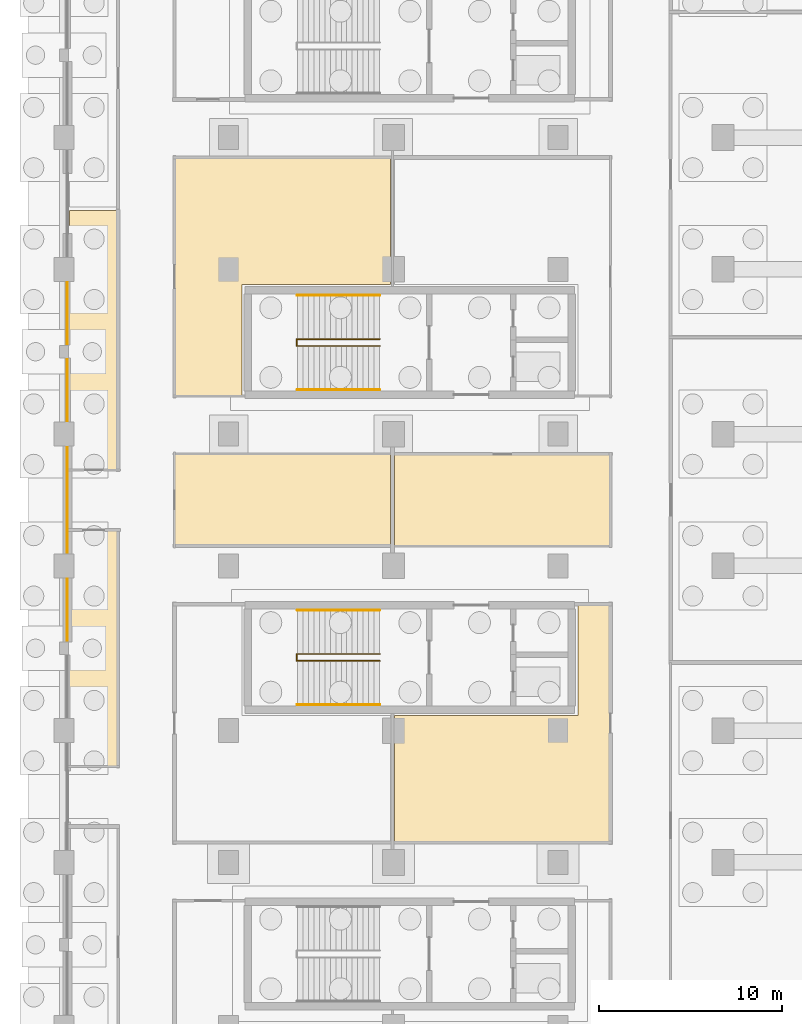
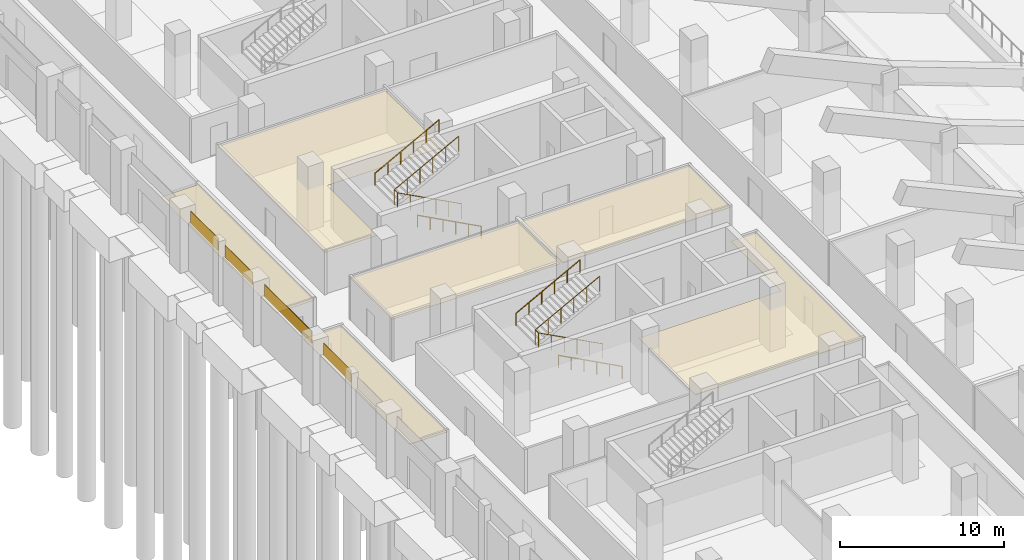
# One storey, part 44 of 53: 10 coverings, 6 railings.
"""IFC4 building model written with IfcOpenShell, lengths in metres."""

from ifc_helpers import new_model, si_unit, direction, frame, origin, origin_2d, place, context, subcontext, project, spatial, polyline, rectangle, circle, outline, extrude, material, layer, layer_set, type_object, element, save


model = new_model("IFC4")

# Units and contexts
model_context = context("Model", 3, precision=1e-05, world=origin(), true_north=direction((0.0, 1.0)))
body_context = subcontext(model_context, "Body", "Model", "MODEL_VIEW")
ifc_project = project(units=[si_unit("LENGTHUNIT", "METRE"), si_unit("AREAUNIT", "SQUARE_METRE"), si_unit("VOLUMEUNIT", "CUBIC_METRE"), si_unit("PLANEANGLEUNIT", "RADIAN"), si_unit("MASSUNIT", "GRAM", prefix="KILO"), si_unit("THERMODYNAMICTEMPERATUREUNIT", "KELVIN"), si_unit("POWERUNIT", "WATT")], contexts=[model_context])

# Site, building, storey
site_placement = place(None, origin())
site = spatial("IfcSite", under=ifc_project, at=site_placement, CompositionType="ELEMENT")
building_placement = place(site_placement, origin())
building = spatial("IfcBuilding", under=site, at=building_placement, Name="Sindhuravela Promenade Stadium", CompositionType="ELEMENT")
storey_placement = place(building_placement, origin())
storey = spatial("IfcBuildingStorey", under=building, at=storey_placement, Name="L00", CompositionType="ELEMENT", Elevation=0.0)

# Coverings
ifc_material_1 = material(Name="Acoustic mineral-fibre ceiling tile", Category="gypsum")
ifc_layer_1 = layer(ifc_material_1, 0.02490234375)
ifc_layer_set_1 = layer_set([ifc_layer_1], Name="Acoustic mineral-fibre ceiling tile")
covering_type_1 = type_object("IfcCoveringType", Name="CV-CEIL-1", PredefinedType="CEILING", material=ifc_layer_set_1)
covering_1_placement = place(storey_placement, frame((0.0, 0.0, 3.050048828125)))
element("IfcCovering", 1, at=covering_1_placement, inside=storey, type_object=covering_type_1, Name="Acoustic ceiling Accessible WC West L00", PredefinedType="CEILING", context=body_context, shape_type="SweptSolid", body=[
    extrude(outline(polyline([(6.0400390625, 86.669921875), (6.0380859375, 86.670166015625), (6.0361328125, 86.67041015625), (6.0341796875, 86.6708984375), (6.0322265625, 86.67138671875), (6.030517578125, 86.67236328125), (6.02880859375, 86.67333984375), (6.02734375, 86.674560546875), (6.02587890625, 86.67578125), (6.0244140625, 86.67724609375), (6.0234375, 86.678955078125), (6.0224609375, 86.6806640625), (6.021484375, 86.682373046875), (6.02099609375, 86.68408203125), (6.0205078125, 86.68603515625), (6.02001953125, 86.68798828125), (6.02001953125, 86.68994140625), (6.02001953125, 99.7099609375), (6.02001953125, 99.7119140625), (6.0205078125, 99.7138671875), (6.02099609375, 99.7158203125), (6.021484375, 99.7177734375), (6.0224609375, 99.719482421875), (6.0234375, 99.72119140625), (6.0244140625, 99.72265625), (6.02587890625, 99.72412109375), (6.02734375, 99.7255859375), (6.02880859375, 99.7265625), (6.030517578125, 99.7275390625), (6.0322265625, 99.728515625), (6.0341796875, 99.72900390625), (6.0361328125, 99.7294921875), (6.0380859375, 99.72998046875), (6.0400390625, 99.72998046875), (17.830078125, 99.72998046875), (17.83203125, 99.72998046875), (17.833984375, 99.7294921875), (17.835693359375, 99.72900390625), (17.837646484375, 99.728515625), (17.83935546875, 99.7275390625), (17.841064453125, 99.7265625), (17.8427734375, 99.7255859375), (17.843994140625, 99.72412109375), (17.845458984375, 99.72265625), (17.8466796875, 99.72119140625), (17.84765625, 99.719482421875), (17.848388671875, 99.7177734375), (17.84912109375, 99.7158203125), (17.849609375, 99.7138671875), (17.849853515625, 99.7119140625), (17.85009765625, 99.7099609375), (17.85009765625, 92.800048828125), (17.849853515625, 92.798095703125), (17.849609375, 92.796142578125), (17.84912109375, 92.794189453125), (17.848388671875, 92.792236328125), (17.84765625, 92.79052734375), (17.8466796875, 92.788818359375), (17.845458984375, 92.787353515625), (17.843994140625, 92.785888671875), (17.8427734375, 92.784423828125), (17.841064453125, 92.783447265625), (17.83935546875, 92.782470703125), (17.837646484375, 92.781494140625), (17.835693359375, 92.781005859375), (17.833984375, 92.780517578125), (17.83203125, 92.780029296875), (17.830078125, 92.780029296875), (9.719970703125, 92.780029296875), (9.719970703125, 86.68994140625), (9.719970703125, 86.68798828125), (9.719482421875, 86.68603515625), (9.718994140625, 86.68408203125), (9.718505859375, 86.682373046875), (9.717529296875, 86.6806640625), (9.716552734375, 86.678955078125), (9.715576171875, 86.67724609375), (9.714111328125, 86.67578125), (9.712646484375, 86.674560546875), (9.711181640625, 86.67333984375), (9.70947265625, 86.67236328125), (9.707763671875, 86.67138671875), (9.705810546875, 86.6708984375), (9.703857421875, 86.67041015625), (9.701904296875, 86.670166015625), (9.699951171875, 86.669921875), (6.0400390625, 86.669921875)])), origin(), (0.0, 0.0, 1.0), 0.02490234375),
])
covering_2_placement = place(storey_placement, frame((0.0, 0.0, 3.050048828125)))
element("IfcCovering", 2, at=covering_2_placement, inside=storey, type_object=covering_type_1, Name="Acoustic ceiling Match Officials Suite 4", PredefinedType="CEILING", context=body_context, shape_type="SweptSolid", body=[
    extrude(outline(polyline([(6.0400390625, 78.469970703125), (6.0380859375, 78.47021484375), (6.0361328125, 78.470458984375), (6.0341796875, 78.470947265625), (6.0322265625, 78.471435546875), (6.030517578125, 78.472412109375), (6.02880859375, 78.473388671875), (6.02734375, 78.474609375), (6.02587890625, 78.475830078125), (6.0244140625, 78.477294921875), (6.0234375, 78.47900390625), (6.0224609375, 78.480712890625), (6.021484375, 78.482421875), (6.02099609375, 78.484130859375), (6.0205078125, 78.486083984375), (6.02001953125, 78.488037109375), (6.02001953125, 78.489990234375), (6.02001953125, 83.510009765625), (6.02001953125, 83.511962890625), (6.0205078125, 83.513916015625), (6.02099609375, 83.515869140625), (6.021484375, 83.517578125), (6.0224609375, 83.519287109375), (6.0234375, 83.52099609375), (6.0244140625, 83.522705078125), (6.02587890625, 83.524169921875), (6.02734375, 83.525390625), (6.02880859375, 83.526611328125), (6.030517578125, 83.527587890625), (6.0322265625, 83.528564453125), (6.0341796875, 83.529052734375), (6.0361328125, 83.529541015625), (6.0380859375, 83.52978515625), (6.0400390625, 83.530029296875), (17.830078125, 83.530029296875), (17.83203125, 83.52978515625), (17.833984375, 83.529541015625), (17.835693359375, 83.529052734375), (17.837646484375, 83.528564453125), (17.83935546875, 83.527587890625), (17.841064453125, 83.526611328125), (17.8427734375, 83.525390625), (17.843994140625, 83.524169921875), (17.845458984375, 83.522705078125), (17.8466796875, 83.52099609375), (17.84765625, 83.519287109375), (17.848388671875, 83.517578125), (17.84912109375, 83.515869140625), (17.849609375, 83.513916015625), (17.849853515625, 83.511962890625), (17.85009765625, 83.510009765625), (17.85009765625, 78.489990234375), (17.849853515625, 78.488037109375), (17.849609375, 78.486083984375), (17.84912109375, 78.484130859375), (17.848388671875, 78.482421875), (17.84765625, 78.480712890625), (17.8466796875, 78.47900390625), (17.845458984375, 78.477294921875), (17.843994140625, 78.475830078125), (17.8427734375, 78.474609375), (17.841064453125, 78.473388671875), (17.83935546875, 78.472412109375), (17.837646484375, 78.471435546875), (17.835693359375, 78.470947265625), (17.833984375, 78.470458984375), (17.83203125, 78.47021484375), (17.830078125, 78.469970703125), (6.0400390625, 78.469970703125)])), origin(), (0.0, 0.0, 1.0), 0.02490234375),
])
covering_3_placement = place(storey_placement, frame((0.0, 0.0, 3.050048828125)))
element("IfcCovering", 3, at=covering_3_placement, inside=storey, type_object=covering_type_1, Name="Acoustic ceiling Anti-Doping Testing Suite 6", PredefinedType="CEILING", context=body_context, shape_type="SweptSolid", body=[
    extrude(outline(polyline([(2.97998046875, 82.639892578125), (2.97998046875, 82.637939453125), (2.9794921875, 82.635986328125), (2.97900390625, 82.63427734375), (2.978515625, 82.63232421875), (2.9775390625, 82.630615234375), (2.9765625, 82.62890625), (2.9755859375, 82.627197265625), (2.97412109375, 82.6259765625), (2.97265625, 82.62451171875), (2.97119140625, 82.623291015625), (2.969482421875, 82.622314453125), (2.9677734375, 82.62158203125), (2.9658203125, 82.620849609375), (2.9638671875, 82.620361328125), (2.9619140625, 82.6201171875), (2.9599609375, 82.6201171875), (0.320068359375, 82.6201171875), (0.318115234375, 82.6201171875), (0.316162109375, 82.620361328125), (0.314208984375, 82.620849609375), (0.312255859375, 82.62158203125), (0.310546875, 82.622314453125), (0.308837890625, 82.623291015625), (0.307373046875, 82.62451171875), (0.305908203125, 82.6259765625), (0.304443359375, 82.627197265625), (0.303466796875, 82.62890625), (0.302490234375, 82.630615234375), (0.301513671875, 82.63232421875), (0.30078125, 82.63427734375), (0.30029296875, 82.635986328125), (0.300048828125, 82.637939453125), (0.300048828125, 82.639892578125), (0.300048828125, 96.783203125), (0.300048828125, 96.785400390625), (0.30029296875, 96.787109375), (0.30078125, 96.7890625), (0.301513671875, 96.791015625), (0.302490234375, 96.792724609375), (0.303466796875, 96.79443359375), (0.304443359375, 96.7958984375), (0.305908203125, 96.797607421875), (0.307373046875, 96.798828125), (0.308837890625, 96.800048828125), (0.310546875, 96.801025390625), (0.312255859375, 96.8017578125), (0.314208984375, 96.802490234375), (0.316162109375, 96.802978515625), (0.318115234375, 96.80322265625), (0.320068359375, 96.80322265625), (2.9599609375, 96.80322265625), (2.9619140625, 96.80322265625), (2.9638671875, 96.802978515625), (2.9658203125, 96.802490234375), (2.9677734375, 96.8017578125), (2.969482421875, 96.801025390625), (2.97119140625, 96.800048828125), (2.97265625, 96.798828125), (2.97412109375, 96.797607421875), (2.9755859375, 96.7958984375), (2.9765625, 96.79443359375), (2.9775390625, 96.792724609375), (2.978515625, 96.791015625), (2.97900390625, 96.7890625), (2.9794921875, 96.787109375), (2.97998046875, 96.785400390625), (2.97998046875, 96.783203125), (2.97998046875, 82.639892578125)])), origin(), (0.0, 0.0, 1.0), 0.02490234375),
])
ifc_layer_2 = layer(ifc_material_1, 0.044921875)
ifc_layer_set_2 = layer_set([ifc_layer_2], Name="Acoustic mineral-fibre ceiling tile")
covering_type_2 = type_object("IfcCoveringType", Name="CV-CEIL-2", PredefinedType="CEILING", material=ifc_layer_set_2)
covering_4_placement = place(storey_placement, frame((0.0, 0.0, 3.050048828125)))
element("IfcCovering", 4, at=covering_4_placement, inside=storey, type_object=covering_type_2, Name="Acoustic ceiling Away Team Changing Suite 3", PredefinedType="CEILING", context=body_context, shape_type="SweptSolid", body=[
    extrude(outline(polyline([(28.080078125, 75.31005859375), (28.080078125, 75.31201171875), (28.080322265625, 75.31396484375), (28.080810546875, 75.31591796875), (28.08154296875, 75.317626953125), (28.08251953125, 75.3193359375), (28.08349609375, 75.321044921875), (28.08447265625, 75.32275390625), (28.0859375, 75.32421875), (28.08740234375, 75.325439453125), (28.0888671875, 75.32666015625), (28.090576171875, 75.32763671875), (28.09228515625, 75.32861328125), (28.09423828125, 75.3291015625), (28.09619140625, 75.32958984375), (28.097900390625, 75.329833984375), (28.10009765625, 75.330078125), (29.860107421875, 75.330078125), (29.862060546875, 75.329833984375), (29.864013671875, 75.32958984375), (29.86572265625, 75.3291015625), (29.86767578125, 75.32861328125), (29.869384765625, 75.32763671875), (29.87109375, 75.32666015625), (29.872802734375, 75.325439453125), (29.8740234375, 75.32421875), (29.87548828125, 75.32275390625), (29.876708984375, 75.321044921875), (29.877685546875, 75.3193359375), (29.87841796875, 75.317626953125), (29.879150390625, 75.31591796875), (29.879638671875, 75.31396484375), (29.8798828125, 75.31201171875), (29.8798828125, 75.31005859375), (29.8798828125, 62.2900390625), (29.8798828125, 62.2880859375), (29.879638671875, 62.2861328125), (29.879150390625, 62.2841796875), (29.87841796875, 62.2822265625), (29.877685546875, 62.280517578125), (29.876708984375, 62.27880859375), (29.87548828125, 62.27734375), (29.8740234375, 62.27587890625), (29.872802734375, 62.2744140625), (29.87109375, 62.2734375), (29.869384765625, 62.2724609375), (29.86767578125, 62.271484375), (29.86572265625, 62.27099609375), (29.864013671875, 62.2705078125), (29.862060546875, 62.27001953125), (29.860107421875, 62.27001953125), (18.070068359375, 62.27001953125), (18.068115234375, 62.27001953125), (18.066162109375, 62.2705078125), (18.064208984375, 62.27099609375), (18.062255859375, 62.271484375), (18.060546875, 62.2724609375), (18.058837890625, 62.2734375), (18.057373046875, 62.2744140625), (18.055908203125, 62.27587890625), (18.054443359375, 62.27734375), (18.053466796875, 62.27880859375), (18.052490234375, 62.280517578125), (18.051513671875, 62.2822265625), (18.05078125, 62.2841796875), (18.05029296875, 62.2861328125), (18.050048828125, 62.2880859375), (18.050048828125, 62.2900390625), (18.050048828125, 69.199951171875), (18.050048828125, 69.201904296875), (18.05029296875, 69.203857421875), (18.05078125, 69.205810546875), (18.051513671875, 69.207763671875), (18.052490234375, 69.20947265625), (18.053466796875, 69.211181640625), (18.054443359375, 69.212646484375), (18.055908203125, 69.214111328125), (18.057373046875, 69.215576171875), (18.058837890625, 69.216552734375), (18.060546875, 69.217529296875), (18.062255859375, 69.218505859375), (18.064208984375, 69.218994140625), (18.066162109375, 69.219482421875), (18.068115234375, 69.219970703125), (18.070068359375, 69.219970703125), (28.080078125, 69.219970703125), (28.080078125, 75.31005859375)])), origin(), (0.0, 0.0, 1.0), 0.044921875),
])
covering_5_placement = place(storey_placement, frame((0.0, 0.0, 3.050048828125)))
element("IfcCovering", 5, at=covering_5_placement, inside=storey, type_object=covering_type_2, Name="Acoustic ceiling Medical and First Aid Clinic 5", PredefinedType="CEILING", context=body_context, shape_type="SweptSolid", body=[
    extrude(outline(polyline([(18.070068359375, 78.469970703125), (18.068115234375, 78.47021484375), (18.066162109375, 78.470458984375), (18.064208984375, 78.470947265625), (18.062255859375, 78.471435546875), (18.060546875, 78.472412109375), (18.058837890625, 78.473388671875), (18.057373046875, 78.474609375), (18.055908203125, 78.475830078125), (18.054443359375, 78.477294921875), (18.053466796875, 78.47900390625), (18.052490234375, 78.480712890625), (18.051513671875, 78.482421875), (18.05078125, 78.484130859375), (18.05029296875, 78.486083984375), (18.050048828125, 78.488037109375), (18.050048828125, 78.489990234375), (18.050048828125, 83.510009765625), (18.050048828125, 83.511962890625), (18.05029296875, 83.513916015625), (18.05078125, 83.515869140625), (18.051513671875, 83.517578125), (18.052490234375, 83.519287109375), (18.053466796875, 83.52099609375), (18.054443359375, 83.522705078125), (18.055908203125, 83.524169921875), (18.057373046875, 83.525390625), (18.058837890625, 83.526611328125), (18.060546875, 83.527587890625), (18.062255859375, 83.528564453125), (18.064208984375, 83.529052734375), (18.066162109375, 83.529541015625), (18.068115234375, 83.52978515625), (18.070068359375, 83.530029296875), (29.860107421875, 83.530029296875), (29.862060546875, 83.52978515625), (29.864013671875, 83.529541015625), (29.86572265625, 83.529052734375), (29.86767578125, 83.528564453125), (29.869384765625, 83.527587890625), (29.87109375, 83.526611328125), (29.872802734375, 83.525390625), (29.8740234375, 83.524169921875), (29.87548828125, 83.522705078125), (29.876708984375, 83.52099609375), (29.877685546875, 83.519287109375), (29.87841796875, 83.517578125), (29.879150390625, 83.515869140625), (29.879638671875, 83.513916015625), (29.8798828125, 83.511962890625), (29.8798828125, 83.510009765625), (29.8798828125, 78.489990234375), (29.8798828125, 78.488037109375), (29.879638671875, 78.486083984375), (29.879150390625, 78.484130859375), (29.87841796875, 78.482421875), (29.877685546875, 78.480712890625), (29.876708984375, 78.47900390625), (29.87548828125, 78.477294921875), (29.8740234375, 78.475830078125), (29.872802734375, 78.474609375), (29.87109375, 78.473388671875), (29.869384765625, 78.472412109375), (29.86767578125, 78.471435546875), (29.86572265625, 78.470947265625), (29.864013671875, 78.470458984375), (29.862060546875, 78.47021484375), (29.860107421875, 78.469970703125), (18.070068359375, 78.469970703125)])), origin(), (0.0, 0.0, 1.0), 0.044921875),
])
covering_6_placement = place(storey_placement, frame((0.0, 0.0, 3.050048828125)))
element("IfcCovering", 6, at=covering_6_placement, inside=storey, type_object=covering_type_2, Name="Acoustic ceiling Home Team Changing Suite 11", PredefinedType="CEILING", context=body_context, shape_type="SweptSolid", body=[
    extrude(outline(polyline([(0.300048828125, 79.360107421875), (0.300048828125, 79.362060546875), (0.30029296875, 79.364013671875), (0.30078125, 79.36572265625), (0.301513671875, 79.36767578125), (0.302490234375, 79.369384765625), (0.303466796875, 79.37109375), (0.304443359375, 79.372802734375), (0.305908203125, 79.3740234375), (0.307373046875, 79.37548828125), (0.308837890625, 79.376708984375), (0.310546875, 79.377685546875), (0.312255859375, 79.37841796875), (0.314208984375, 79.379150390625), (0.316162109375, 79.379638671875), (0.318115234375, 79.3798828125), (0.320068359375, 79.3798828125), (2.9599609375, 79.3798828125), (2.9619140625, 79.3798828125), (2.9638671875, 79.379638671875), (2.9658203125, 79.379150390625), (2.9677734375, 79.37841796875), (2.969482421875, 79.377685546875), (2.97119140625, 79.376708984375), (2.97265625, 79.37548828125), (2.97412109375, 79.3740234375), (2.9755859375, 79.372802734375), (2.9765625, 79.37109375), (2.9775390625, 79.369384765625), (2.978515625, 79.36767578125), (2.97900390625, 79.36572265625), (2.9794921875, 79.364013671875), (2.97998046875, 79.362060546875), (2.97998046875, 79.360107421875), (2.97998046875, 66.43994140625), (2.97998046875, 66.43798828125), (2.9794921875, 66.43603515625), (2.97900390625, 66.43408203125), (2.978515625, 66.432373046875), (2.9775390625, 66.4306640625), (2.9765625, 66.428955078125), (2.9755859375, 66.42724609375), (2.97412109375, 66.42578125), (2.97265625, 66.424560546875), (2.97119140625, 66.42333984375), (2.969482421875, 66.42236328125), (2.9677734375, 66.42138671875), (2.9658203125, 66.4208984375), (2.9638671875, 66.42041015625), (2.9619140625, 66.420166015625), (2.9599609375, 66.419921875), (0.320068359375, 66.419921875), (0.318115234375, 66.420166015625), (0.316162109375, 66.42041015625), (0.314208984375, 66.4208984375), (0.312255859375, 66.42138671875), (0.310546875, 66.42236328125), (0.308837890625, 66.42333984375), (0.307373046875, 66.424560546875), (0.305908203125, 66.42578125), (0.304443359375, 66.42724609375), (0.303466796875, 66.428955078125), (0.302490234375, 66.4306640625), (0.301513671875, 66.432373046875), (0.30078125, 66.43408203125), (0.30029296875, 66.43603515625), (0.300048828125, 66.43798828125), (0.300048828125, 66.43994140625), (0.300048828125, 79.360107421875)])), origin(), (0.0, 0.0, 1.0), 0.044921875),
])
ifc_material_2 = material(Name="Polychrome trencadis ceramic mosaic", Category="masonry")
ifc_layer_3 = layer(ifc_material_2, 0.034912109375)
ifc_layer_set_3 = layer_set([ifc_layer_3], Name="Polychrome trencadis ceramic mosaic")
covering_type_3 = type_object("IfcCoveringType", Name="CV-TRENC-1", PredefinedType="CLADDING", material=ifc_layer_set_3)
for number, where, z_axis, x_axis, name in (
    (7, (0.179931640625, 75.0, 3.55517578125), (0.0, 0.0, 1.0), (0.0, 1.0, 0.0), "Trencadis ceramic mosaic spandrel frieze WEST L00-6"),
    (8, (0.179931640625, 87.0, 3.55517578125), (0.0, 0.0, 1.0), (0.0, 1.0, 0.0), "Trencadis ceramic mosaic spandrel frieze WEST L00-8"),
):
    element("IfcCovering", number, at=place(storey_placement, frame(where, z_axis=z_axis, x_axis=x_axis)), inside=storey, type_object=covering_type_3, Name=name, PredefinedType="CLADDING", context=body_context, shape_type="SweptSolid", body=[
        extrude(rectangle(XDim=3.3701171875, YDim=0.034912109375, at=origin_2d()), origin(), (0.0, 0.0, 1.0), 0.905029296875),
    ])
ifc_layer_4 = layer(ifc_material_2, 0.050048828125)
ifc_layer_set_4 = layer_set([ifc_layer_4], Name="Polychrome trencadis ceramic mosaic")
covering_type_4 = type_object("IfcCoveringType", Name="CV-TRENC-2", PredefinedType="CLADDING", material=ifc_layer_set_4)
covering_7_placement = place(storey_placement, frame((0.179931640625, 81.0, 3.55517578125), z_axis=(0.0, 0.0, 1.0), x_axis=(0.0, 1.0, 0.0)))
element("IfcCovering", 9, at=covering_7_placement, inside=storey, type_object=covering_type_4, Name="Trencadis ceramic mosaic spandrel frieze WEST L00-7", PredefinedType="CLADDING", context=body_context, shape_type="SweptSolid", body=[
    extrude(rectangle(XDim=5.77001953125, YDim=0.050048828125, at=origin_2d()), origin(), (0.0, 0.0, 1.0), 0.905029296875),
])
covering_8_placement = place(storey_placement, frame((0.179931640625, 91.199951171875, 3.55517578125), z_axis=(0.0, 0.0, 1.0), x_axis=(0.0, 1.0, 0.0)))
element("IfcCovering", 10, at=covering_8_placement, inside=storey, type_object=covering_type_4, Name="Trencadis ceramic mosaic spandrel frieze WEST L00-9", PredefinedType="CLADDING", context=body_context, shape_type="SweptSolid", body=[
    extrude(rectangle(XDim=3.3701171875, YDim=0.050048828125, at=origin_2d()), origin(), (0.0, 0.0, 1.0), 0.905029296875),
])

# Railings
ifc_material_3 = material(Name="Architectural wrought steel E350", Category="steel")
railing_type_1 = type_object("IfcRailingType", Name="RL-GRD-1150", PredefinedType="GUARDRAIL", material=ifc_material_3)
railing_1_placement = place(storey_placement, frame((17.25, 72.2099609375, 0.0)))
element("IfcRailing", 11, at=railing_1_placement, inside=storey, type_object=railing_type_1, Name="Stair ST02 inner well guard (L00)", PredefinedType="GUARDRAIL", context=body_context, shape_type="SweptSolid", body=[
    extrude(circle(Radius=0.02392578125, at=origin_2d()), frame((0.0, 0.0, 1.1259765625), z_axis=(-0.8836546633431795, 0.0, 0.46813933390802775), x_axis=(0.0, -1.0, 0.0)), (0.0, 0.0, 1.0), 5.12646484375),
    extrude(circle(Radius=0.02392578125, at=origin_2d()), frame((-4.530029296875, 0.0, 3.52587890625), z_axis=(0.0, 1.0, 0.0), x_axis=(-1.0, 0.0, 0.0)), (0.0, 0.0, 1.0), 0.380126953125),
    extrude(circle(Radius=0.02392578125, at=origin_2d()), frame((-4.530029296875, 0.380126953125, 3.52587890625), z_axis=(0.8836349624059475, 0.0, 0.46817651928929505), x_axis=(0.0, 1.0, 0.0)), (0.0, 0.0, 1.0), 5.12646484375),
    extrude(circle(Radius=0.02099609375, at=origin_2d()), origin(), (0.0, 0.0, 1.0), 1.101806640625),
    extrude(circle(Radius=0.02099609375, at=origin_2d()), frame((-0.906005859375, 0.0, 0.47998046875)), (0.0, 0.0, 1.0), 1.101806640625),
    extrude(circle(Radius=0.02099609375, at=origin_2d()), frame((-1.81201171875, 0.0, 0.9599609375)), (0.0, 0.0, 1.0), 1.101806640625),
    extrude(circle(Radius=0.02099609375, at=origin_2d()), frame((-2.718017578125, 0.0, 1.43994140625)), (0.0, 0.0, 1.0), 1.101806640625),
    extrude(circle(Radius=0.02099609375, at=origin_2d()), frame((-3.6240234375, 0.0, 1.919921875)), (0.0, 0.0, 1.0), 1.101806640625),
    extrude(circle(Radius=0.02099609375, at=origin_2d()), frame((-4.530029296875, 0.0, 2.39990234375)), (0.0, 0.0, 1.0), 1.101806640625),
    extrude(circle(Radius=0.02099609375, at=origin_2d()), frame((-4.530029296875, 0.380126953125, 2.39990234375)), (0.0, 0.0, 1.0), 1.101806640625),
    extrude(circle(Radius=0.02099609375, at=origin_2d()), frame((-3.6240234375, 0.380126953125, 2.8798828125)), (0.0, 0.0, 1.0), 1.101806640625),
    extrude(circle(Radius=0.02099609375, at=origin_2d()), frame((-2.718017578125, 0.380126953125, 3.35986328125)), (0.0, 0.0, 1.0), 1.101806640625),
    extrude(circle(Radius=0.02099609375, at=origin_2d()), frame((-1.81201171875, 0.380126953125, 3.840087890625)), (0.0, 0.0, 1.0), 1.101806640625),
    extrude(circle(Radius=0.02099609375, at=origin_2d()), frame((-0.906005859375, 0.380126953125, 4.320068359375)), (0.0, 0.0, 1.0), 1.101806640625),
    extrude(circle(Radius=0.02099609375, at=origin_2d()), frame((0.0, 0.380126953125, 4.800048828125)), (0.0, 0.0, 1.0), 1.101806640625),
])
railing_2_placement = place(storey_placement, frame((17.25, 89.409912109375, 0.0)))
element("IfcRailing", 12, at=railing_2_placement, inside=storey, type_object=railing_type_1, Name="Stair ST03 inner well guard (L00)", PredefinedType="GUARDRAIL", context=body_context, shape_type="SweptSolid", body=[
    extrude(circle(Radius=0.02392578125, at=origin_2d()), frame((0.0, 0.0, 1.1259765625), z_axis=(-0.8836546633431795, 0.0, 0.46813933390802775), x_axis=(0.0, -1.0, 0.0)), (0.0, 0.0, 1.0), 5.12646484375),
    extrude(circle(Radius=0.02392578125, at=origin_2d()), frame((-4.530029296875, 0.0, 3.52587890625), z_axis=(0.0, 1.0, 0.0), x_axis=(-1.0, 0.0, 0.0)), (0.0, 0.0, 1.0), 0.380126953125),
    extrude(circle(Radius=0.02392578125, at=origin_2d()), frame((-4.530029296875, 0.380126953125, 3.52587890625), z_axis=(0.8836349624059475, 0.0, 0.46817651928929505), x_axis=(0.0, 1.0, 0.0)), (0.0, 0.0, 1.0), 5.12646484375),
    extrude(circle(Radius=0.02099609375, at=origin_2d()), origin(), (0.0, 0.0, 1.0), 1.101806640625),
    extrude(circle(Radius=0.02099609375, at=origin_2d()), frame((-0.906005859375, 0.0, 0.47998046875)), (0.0, 0.0, 1.0), 1.101806640625),
    extrude(circle(Radius=0.02099609375, at=origin_2d()), frame((-1.81201171875, 0.0, 0.9599609375)), (0.0, 0.0, 1.0), 1.101806640625),
    extrude(circle(Radius=0.02099609375, at=origin_2d()), frame((-2.718017578125, 0.0, 1.43994140625)), (0.0, 0.0, 1.0), 1.101806640625),
    extrude(circle(Radius=0.02099609375, at=origin_2d()), frame((-3.6240234375, 0.0, 1.919921875)), (0.0, 0.0, 1.0), 1.101806640625),
    extrude(circle(Radius=0.02099609375, at=origin_2d()), frame((-4.530029296875, 0.0, 2.39990234375)), (0.0, 0.0, 1.0), 1.101806640625),
    extrude(circle(Radius=0.02099609375, at=origin_2d()), frame((-4.530029296875, 0.380126953125, 2.39990234375)), (0.0, 0.0, 1.0), 1.101806640625),
    extrude(circle(Radius=0.02099609375, at=origin_2d()), frame((-3.6240234375, 0.380126953125, 2.8798828125)), (0.0, 0.0, 1.0), 1.101806640625),
    extrude(circle(Radius=0.02099609375, at=origin_2d()), frame((-2.718017578125, 0.380126953125, 3.35986328125)), (0.0, 0.0, 1.0), 1.101806640625),
    extrude(circle(Radius=0.02099609375, at=origin_2d()), frame((-1.81201171875, 0.380126953125, 3.840087890625)), (0.0, 0.0, 1.0), 1.101806640625),
    extrude(circle(Radius=0.02099609375, at=origin_2d()), frame((-0.906005859375, 0.380126953125, 4.320068359375)), (0.0, 0.0, 1.0), 1.101806640625),
    extrude(circle(Radius=0.02099609375, at=origin_2d()), frame((0.0, 0.380126953125, 4.800048828125)), (0.0, 0.0, 1.0), 1.101806640625),
])
railing_type_2 = type_object("IfcRailingType", Name="RL-HND-920", PredefinedType="HANDRAIL", material=ifc_material_3)
railing_3_placement = place(storey_placement, frame((17.25, 69.820068359375, 0.0)))
element("IfcRailing", 13, at=railing_3_placement, inside=storey, type_object=railing_type_2, Name="Stair ST02 lower wall handrail (L00)", PredefinedType="HANDRAIL", context=body_context, shape_type="SweptSolid", body=[
    extrude(circle(Radius=0.02392578125, at=origin_2d()), frame((0.0, 0.0, 0.89599609375), z_axis=(-0.8823608919668723, 0.0, 0.4705733272588083), x_axis=(0.0, -1.0, 0.0)), (0.0, 0.0, 1.0), 5.099853515625),
    extrude(circle(Radius=0.02099609375, at=origin_2d()), origin(), (0.0, 0.0, 1.0), 0.871826171875),
    extrude(circle(Radius=0.02099609375, at=origin_2d()), frame((-0.89990234375, 0.0, 0.47998046875)), (0.0, 0.0, 1.0), 0.871826171875),
    extrude(circle(Radius=0.02099609375, at=origin_2d()), frame((-1.800048828125, 0.0, 0.9599609375)), (0.0, 0.0, 1.0), 0.871826171875),
    extrude(circle(Radius=0.02099609375, at=origin_2d()), frame((-2.699951171875, 0.0, 1.43994140625)), (0.0, 0.0, 1.0), 0.871826171875),
    extrude(circle(Radius=0.02099609375, at=origin_2d()), frame((-3.60009765625, 0.0, 1.919921875)), (0.0, 0.0, 1.0), 0.871826171875),
    extrude(circle(Radius=0.02099609375, at=origin_2d()), frame((-4.5, 0.0, 2.39990234375)), (0.0, 0.0, 1.0), 0.871826171875),
])
railing_4_placement = place(storey_placement, frame((12.75, 74.97998046875, 2.39990234375)))
element("IfcRailing", 14, at=railing_4_placement, inside=storey, type_object=railing_type_2, Name="Stair ST02 upper wall handrail (L00)", PredefinedType="HANDRAIL", context=body_context, shape_type="SweptSolid", body=[
    extrude(circle(Radius=0.02392578125, at=origin_2d()), frame((0.0, 0.0, 0.89599609375), z_axis=(0.8823410147872734, 0.0, 0.47061059659145427), x_axis=(0.0, 1.0, 0.0)), (0.0, 0.0, 1.0), 5.10009765625),
    extrude(circle(Radius=0.02099609375, at=origin_2d()), origin(), (0.0, 0.0, 1.0), 0.871826171875),
    extrude(circle(Radius=0.02099609375, at=origin_2d()), frame((0.89990234375, 0.0, 0.47998046875)), (0.0, 0.0, 1.0), 0.871826171875),
    extrude(circle(Radius=0.02099609375, at=origin_2d()), frame((1.800048828125, 0.0, 0.9599609375)), (0.0, 0.0, 1.0), 0.871826171875),
    extrude(circle(Radius=0.02099609375, at=origin_2d()), frame((2.699951171875, 0.0, 1.440185546875)), (0.0, 0.0, 1.0), 0.871826171875),
    extrude(circle(Radius=0.02099609375, at=origin_2d()), frame((3.60009765625, 0.0, 1.920166015625)), (0.0, 0.0, 1.0), 0.871826171875),
    extrude(circle(Radius=0.02099609375, at=origin_2d()), frame((4.5, 0.0, 2.400146484375)), (0.0, 0.0, 1.0), 0.871826171875),
])
railing_5_placement = place(storey_placement, frame((17.25, 87.02001953125, 0.0)))
element("IfcRailing", 15, at=railing_5_placement, inside=storey, type_object=railing_type_2, Name="Stair ST03 lower wall handrail (L00)", PredefinedType="HANDRAIL", context=body_context, shape_type="SweptSolid", body=[
    extrude(circle(Radius=0.02392578125, at=origin_2d()), frame((0.0, 0.0, 0.89599609375), z_axis=(-0.8823608919668723, 0.0, 0.4705733272588083), x_axis=(0.0, -1.0, 0.0)), (0.0, 0.0, 1.0), 5.099853515625),
    extrude(circle(Radius=0.02099609375, at=origin_2d()), origin(), (0.0, 0.0, 1.0), 0.871826171875),
    extrude(circle(Radius=0.02099609375, at=origin_2d()), frame((-0.89990234375, 0.0, 0.47998046875)), (0.0, 0.0, 1.0), 0.871826171875),
    extrude(circle(Radius=0.02099609375, at=origin_2d()), frame((-1.800048828125, 0.0, 0.9599609375)), (0.0, 0.0, 1.0), 0.871826171875),
    extrude(circle(Radius=0.02099609375, at=origin_2d()), frame((-2.699951171875, 0.0, 1.43994140625)), (0.0, 0.0, 1.0), 0.871826171875),
    extrude(circle(Radius=0.02099609375, at=origin_2d()), frame((-3.60009765625, 0.0, 1.919921875)), (0.0, 0.0, 1.0), 0.871826171875),
    extrude(circle(Radius=0.02099609375, at=origin_2d()), frame((-4.5, 0.0, 2.39990234375)), (0.0, 0.0, 1.0), 0.871826171875),
])
railing_6_placement = place(storey_placement, frame((12.75, 92.179931640625, 2.39990234375)))
element("IfcRailing", 16, at=railing_6_placement, inside=storey, type_object=railing_type_2, Name="Stair ST03 upper wall handrail (L00)", PredefinedType="HANDRAIL", context=body_context, shape_type="SweptSolid", body=[
    extrude(circle(Radius=0.02392578125, at=origin_2d()), frame((0.0, 0.0, 0.89599609375), z_axis=(0.8823410147872734, 0.0, 0.47061059659145427), x_axis=(0.0, 1.0, 0.0)), (0.0, 0.0, 1.0), 5.10009765625),
    extrude(circle(Radius=0.02099609375, at=origin_2d()), origin(), (0.0, 0.0, 1.0), 0.871826171875),
    extrude(circle(Radius=0.02099609375, at=origin_2d()), frame((0.89990234375, 0.0, 0.47998046875)), (0.0, 0.0, 1.0), 0.871826171875),
    extrude(circle(Radius=0.02099609375, at=origin_2d()), frame((1.800048828125, 0.0, 0.9599609375)), (0.0, 0.0, 1.0), 0.871826171875),
    extrude(circle(Radius=0.02099609375, at=origin_2d()), frame((2.699951171875, 0.0, 1.440185546875)), (0.0, 0.0, 1.0), 0.871826171875),
    extrude(circle(Radius=0.02099609375, at=origin_2d()), frame((3.60009765625, 0.0, 1.920166015625)), (0.0, 0.0, 1.0), 0.871826171875),
    extrude(circle(Radius=0.02099609375, at=origin_2d()), frame((4.5, 0.0, 2.400146484375)), (0.0, 0.0, 1.0), 0.871826171875),
])

save(model, "model.ifc")
